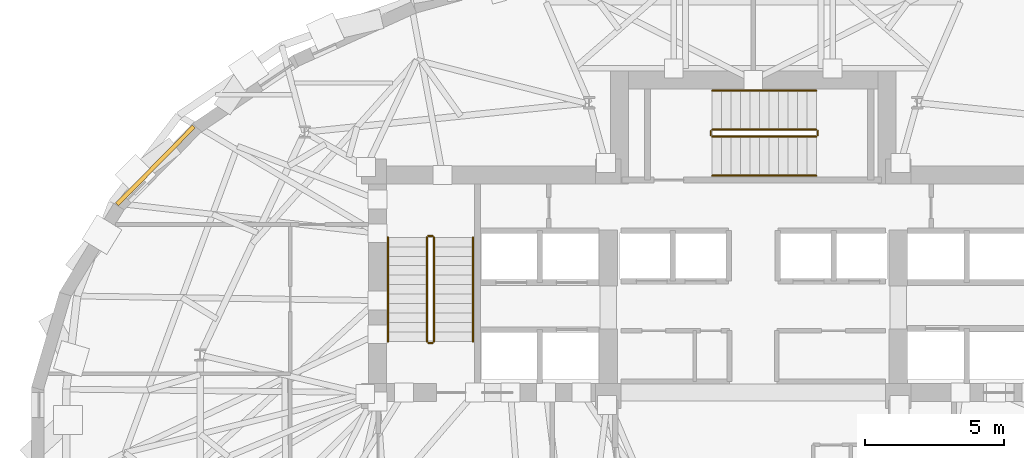
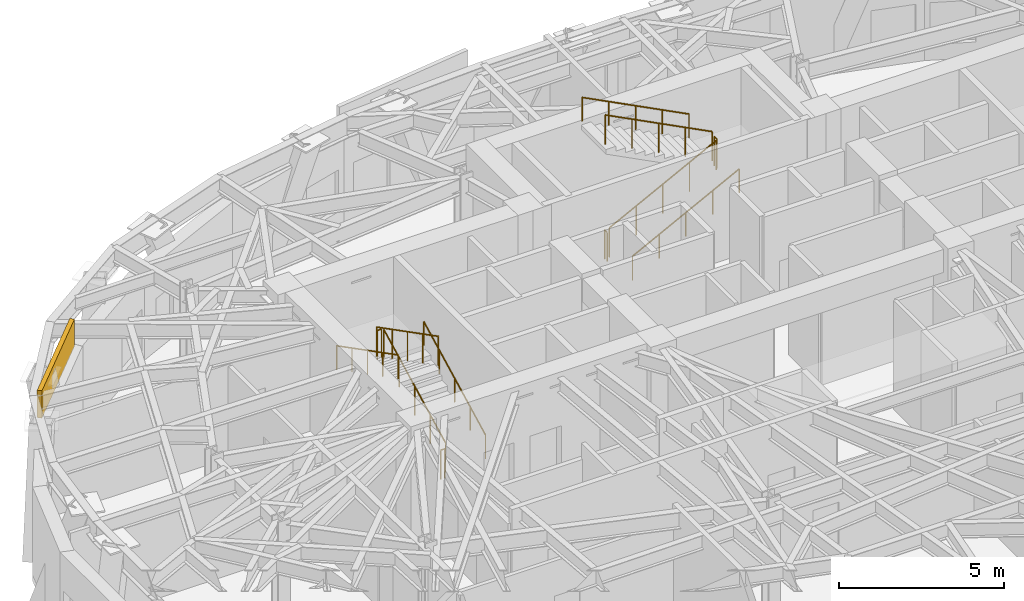
# One storey, part 14 of 16: 12 railings, 1 covering.
"""IFC4 building model written with IfcOpenShell, lengths in metres."""

import ifcopenshell
import ifcopenshell.guid

model = None  # the IFC model being written
_history = None  # IfcOwnerHistory: only IFC2X3 demands one
_inside = {}  # id of a spatial element -> (the spatial element, [elements in it])
_under = {}  # id of a project, library or spatial element -> (it, [spatial elements below it])
_declared = {}  # id of a project -> (the project, [libraries it declares])
_typed = {}  # id of a type object -> (the type object, [elements of that type])
_made_of = {}  # id of a material, layer set ... -> (it, [elements and type objects made of it])


def new_model(schema):
    """Start an empty IFC model of exactly this schema.

    Asked for "IFC4X3", IfcOpenShell would pick the latest addendum, in which some entities
    have other attributes; the version numbers below select the first issue.
    IFC2X3 requires an IfcOwnerHistory on every rooted entity: one is made here for all.
    """
    global model, _history
    if schema == "IFC4X3":
        model = ifcopenshell.file(schema_version=(4, 3, 0, 0))
    else:
        model = ifcopenshell.file(schema=schema)
    _inside.clear()
    _under.clear()
    _declared.clear()
    _typed.clear()
    _made_of.clear()
    _history = None
    if model.schema == "IFC2X3":
        org = make("IfcOrganization", Name="unknown")
        user = make(
            "IfcPersonAndOrganization",
            ThePerson=make("IfcPerson", FamilyName="unknown"),
            TheOrganization=org,
        )
        app = make(
            "IfcApplication",
            ApplicationDeveloper=org,
            Version="unknown",
            ApplicationFullName="unknown",
            ApplicationIdentifier="unknown",
        )
        _history = make(
            "IfcOwnerHistory",
            OwningUser=user,
            OwningApplication=app,
            ChangeAction="ADDED",
            CreationDate=0,
        )
    return model


def make(cls, **values):
    """One entity of the class cls with the attributes given. An attribute that is None is left unset."""
    return model.create_entity(
        cls, **{name: value for name, value in values.items() if value is not None}
    )


def rooted(cls, **values):
    """An entity with a GlobalId (a new one), such as an element, a storey or a relation."""
    return make(cls, GlobalId=ifcopenshell.guid.new(), OwnerHistory=_history, **values)


def si_unit(unit_type, name, prefix=None):
    """IfcSIUnit, for example si_unit("LENGTHUNIT", "METRE", prefix="MILLI")."""
    return make("IfcSIUnit", UnitType=unit_type, Prefix=prefix, Name=name)


def assignment(units):
    """IfcUnitAssignment: the units of a project."""
    return None if units is None else make("IfcUnitAssignment", Units=units)


def point(xyz):
    """IfcCartesianPoint."""
    return None if xyz is None else make("IfcCartesianPoint", Coordinates=xyz)


def direction(xyz):
    """IfcDirection."""
    return None if xyz is None else make("IfcDirection", DirectionRatios=xyz)


def frame(location, z_axis=None, x_axis=None):
    """IfcAxis2Placement3D, a coordinate frame: its origin and axes. An axis left out is left unset."""
    return make(
        "IfcAxis2Placement3D",
        Location=point(location),
        Axis=direction(z_axis),
        RefDirection=direction(x_axis),
    )


def frame_2d(location, x_axis=None):
    """IfcAxis2Placement2D, a coordinate frame in the plane: its origin and x axis."""
    return make(
        "IfcAxis2Placement2D", Location=point(location), RefDirection=direction(x_axis)
    )


def origin():
    """The frame at (0, 0, 0) with its axes left unset."""
    return frame((0.0, 0.0, 0.0))


def origin_2d():
    """The frame at (0, 0) in the plane with its x axis left unset."""
    return frame_2d((0.0, 0.0))


def place(relative_to, where):
    """IfcLocalPlacement: puts the frame where relative to a parent placement (None: the world)."""
    return make(
        "IfcLocalPlacement", PlacementRelTo=relative_to, RelativePlacement=where
    )


def context(
    kind, dimensions, precision=None, world=None, true_north=None, identifier=None
):
    """IfcGeometricRepresentationContext, for example the 3D "Model" context."""
    return make(
        "IfcGeometricRepresentationContext",
        ContextIdentifier=identifier,
        ContextType=kind,
        CoordinateSpaceDimension=dimensions,
        Precision=precision,
        WorldCoordinateSystem=world,
        TrueNorth=true_north,
    )


def subcontext(parent, identifier, kind, view, scale=None):
    """IfcGeometricRepresentationSubContext, for example "Body" below "Model"."""
    return make(
        "IfcGeometricRepresentationSubContext",
        ContextIdentifier=identifier,
        ContextType=kind,
        ParentContext=parent,
        TargetScale=scale,
        TargetView=view,
    )


def project(units=None, contexts=None):
    """IfcProject with its units and contexts."""
    return rooted(
        "IfcProject",
        Name="project",
        RepresentationContexts=contexts,
        UnitsInContext=assignment(units),
    )


def spatial(cls, under=None, at=None, **own):
    """A site, building, storey or space (cls), placed at a placement, below another one or the project."""
    s = rooted(cls, ObjectPlacement=at, **own)
    if under is not None:
        _under.setdefault(under.id(), (under, []))[1].append(s)
    return s


def profile(cls, at=None, kind="AREA", **sizes):
    """A parametric profile (cls). Its sizes go by their IFC names, for example OverallWidth=200.0."""
    return make(cls, ProfileType=kind, Position=at, **sizes)


def rectangle(**sizes):
    """IfcRectangleProfileDef."""
    return profile("IfcRectangleProfileDef", **sizes)


def circle(**sizes):
    """IfcCircleProfileDef."""
    return profile("IfcCircleProfileDef", **sizes)


def extrude(swept, where, along, depth):
    """IfcExtrudedAreaSolid: the profile swept, set in the frame where, extruded along a direction by depth."""
    return make(
        "IfcExtrudedAreaSolid",
        SweptArea=swept,
        Position=where,
        ExtrudedDirection=direction(along),
        Depth=depth,
    )


def shape(context_of_items, identifier, shape_type, items):
    """IfcShapeRepresentation: the items that make up one representation, for example the "Body"."""
    return make(
        "IfcShapeRepresentation",
        ContextOfItems=context_of_items,
        RepresentationIdentifier=identifier,
        RepresentationType=shape_type,
        Items=items,
    )


def material(Name=None, Category=None):
    """IfcMaterial."""
    return make("IfcMaterial", Name=Name, Category=Category)


def layer(
    of_material, thickness, ventilated=None, Name=None, Category=None, Priority=None
):
    """IfcMaterialLayer: one layer of a wall or slab, of a material (None: an air gap)."""
    return make(
        "IfcMaterialLayer",
        Material=of_material,
        LayerThickness=thickness,
        IsVentilated=ventilated,
        Name=Name,
        Category=Category,
        Priority=Priority,
    )


def layer_set(layers, Name=None):
    """IfcMaterialLayerSet."""
    return make("IfcMaterialLayerSet", MaterialLayers=layers, LayerSetName=Name)


def made_of(thing, what):
    """Note that an element or type object is made of a material, layer set ...; save() writes the relation."""
    if what is not None:
        _made_of.setdefault(what.id(), (what, []))[1].append(thing)
    return thing


def type_object(cls, material=None, **own):
    """A type object (cls), such as IfcWallType, which elements share."""
    return made_of(rooted(cls, **own), material)


def element(
    cls,
    number,
    at=None,
    inside=None,
    cuts=None,
    type_object=None,
    material=None,
    context=None,
    identifier="Body",
    shape_type=None,
    held_by="IfcProductDefinitionShape",
    body=None,
    shapes=None,
    **own,
):
    """One element of the class cls, such as IfcWall. Its Tag is "e" and its number.

    at: its placement. inside: the storey or other place that contains it. cuts: it is an
    opening in that element (IfcRelVoidsElement). A single representation is given by context,
    identifier, shape_type and body (its items); several are given by shapes. held_by: the class
    of the entity that holds the representations. save() writes the other relations.
    """
    e = rooted(cls, Tag="e%d" % number, ObjectPlacement=at, **own)
    if body is not None:
        shapes = [shape(context, identifier, shape_type, body)]
    if shapes is not None:
        e.Representation = make(held_by, Representations=shapes)
    if inside is not None:
        _inside.setdefault(inside.id(), (inside, []))[1].append(e)
    if cuts is not None:
        rooted(
            "IfcRelVoidsElement", RelatingBuildingElement=cuts, RelatedOpeningElement=e
        )
    if type_object is not None:
        _typed.setdefault(type_object.id(), (type_object, []))[1].append(e)
    return made_of(e, material)


def aggregate(whole, parts):
    """IfcRelAggregates: a whole, such as a stair, and the parts it consists of."""
    return rooted("IfcRelAggregates", RelatingObject=whole, RelatedObjects=parts)


def save(model, path):
    """Write the relations noted so far, then the file.

    IfcRelAggregates (storeys below a building ...), IfcRelContainedInSpatialStructure (elements
    in a storey), IfcRelDefinesByType, IfcRelAssociatesMaterial and IfcRelDeclares: one each for
    every whole, place, type object, material and project.
    """
    for whole, parts in _under.values():
        aggregate(whole, parts)
    for where, things in _inside.values():
        rooted(
            "IfcRelContainedInSpatialStructure",
            RelatedElements=things,
            RelatingStructure=where,
        )
    for kind, things in _typed.values():
        rooted("IfcRelDefinesByType", RelatedObjects=things, RelatingType=kind)
    for what, things in _made_of.values():
        rooted("IfcRelAssociatesMaterial", RelatedObjects=things, RelatingMaterial=what)
    for by, libraries in _declared.values():
        rooted("IfcRelDeclares", RelatingContext=by, RelatedDefinitions=libraries)
    model.write(path)


model = new_model("IFC4")

# Units and contexts
model_context = context("Model", 3, precision=1e-05, world=origin(), true_north=direction((0.0, 1.0)))
body_context = subcontext(model_context, "Body", "Model", "MODEL_VIEW")
ifc_project = project(units=[si_unit("LENGTHUNIT", "METRE"), si_unit("AREAUNIT", "SQUARE_METRE"), si_unit("VOLUMEUNIT", "CUBIC_METRE"), si_unit("PLANEANGLEUNIT", "RADIAN"), si_unit("MASSUNIT", "GRAM", prefix="KILO")], contexts=[model_context])

# Site, building, storey
site_placement = place(None, origin())
site = spatial("IfcSite", under=ifc_project, at=site_placement, CompositionType="ELEMENT")
building_placement = place(site_placement, origin())
building = spatial("IfcBuilding", under=site, at=building_placement, Name="Keldmark Tower", CompositionType="ELEMENT")
storey_placement = place(building_placement, frame((0.0, 0.0, 139.60009765625)))
storey = spatial("IfcBuildingStorey", under=building, at=storey_placement, Name="L37", CompositionType="ELEMENT", Elevation=139.60009765625)

# Covering
ifc_material_1 = material(Name="Honed Kasota Buff Dolomitic Limestone", Category="masonry")
ifc_layer = layer(ifc_material_1, 0.074951171875)
ifc_layer_set = layer_set([ifc_layer], Name="Honed Kasota Buff Dolomitic Limestone")
covering_type = type_object("IfcCoveringType", Name="Kasota Buff Limestone Spandrel Cladding Band", PredefinedType="CLADDING", material=ifc_layer_set)
covering_placement = place(storey_placement, frame((-21.435791015625, 9.664794921875, 3.161865234375), z_axis=(0.0, 0.0, 1.0), x_axis=(-0.702090914327, -0.712087317693, 0.0)))
element("IfcCovering", 1, at=covering_placement, inside=storey, type_object=covering_type, Name="L37 Kasota Limestone Spandrel Band 13", PredefinedType="CLADDING", context=body_context, shape_type="SweptSolid", body=[
    extrude(rectangle(XDim=3.9130859375, YDim=0.14990234375, at=origin_2d()), origin(), (0.0, 0.0, 1.0), 1.01806640625),
])

# Railings
ifc_material_2 = material(Name="Painted Steel ASTM A500 Grade B", Category="steel")
railing_type_1 = type_object("IfcRailingType", Name="Painted Steel Stair Well Guard 1100 mm", PredefinedType="GUARDRAIL", material=ifc_material_2)
railing_1_placement = place(storey_placement, frame((-11.449951171875, 3.35009765625, 0.1748046875)))
element("IfcRailing", 2, at=railing_1_placement, inside=storey, type_object=railing_type_1, Name="L37 ST1 stair guard 1", PredefinedType="GUARDRAIL", context=body_context, shape_type="SweptSolid", body=[
    extrude(circle(Radius=0.02392578125, at=origin_2d()), frame((0.0, 0.0, 1.076171875), z_axis=(0.0, 0.889130600629, 0.457653553493), x_axis=(-1.0, 0.0, 0.0)), (0.0, 0.0, 1.0), 4.206298828125),
    extrude(circle(Radius=0.02099609375, at=origin_2d()), origin(), (0.0, 0.0, 1.0), 1.052001953125),
    extrude(circle(Radius=0.02099609375, at=origin_2d()), frame((0.0, 0.93505859375, 0.481201171875)), (0.0, 0.0, 1.0), 1.052001953125),
    extrude(circle(Radius=0.02099609375, at=origin_2d()), frame((0.0, 1.8701171875, 0.96240234375)), (0.0, 0.0, 1.0), 1.052001953125),
    extrude(circle(Radius=0.02099609375, at=origin_2d()), frame((0.0, 2.804931640625, 1.44384765625)), (0.0, 0.0, 1.0), 1.052001953125),
    extrude(circle(Radius=0.02099609375, at=origin_2d()), frame((0.0, 3.739990234375, 1.925048828125)), (0.0, 0.0, 1.0), 1.052001953125),
])
railing_2_placement = place(storey_placement, frame((-11.5, 7.139892578125, 2.099853515625)))
element("IfcRailing", 3, at=railing_2_placement, inside=storey, type_object=railing_type_1, Name="L37 ST1 stair guard 2", PredefinedType="GUARDRAIL", context=body_context, shape_type="SweptSolid", body=[
    extrude(circle(Radius=0.02392578125, at=origin_2d()), frame((0.0, 0.0, 1.076171875), z_axis=(-1.0, 0.0, 0.0), x_axis=(0.0, -1.0, 0.0)), (0.0, 0.0, 1.0), 0.14990234375),
    extrude(circle(Radius=0.02099609375, at=origin_2d()), origin(), (0.0, 0.0, 1.0), 1.052001953125),
    extrude(circle(Radius=0.02099609375, at=origin_2d()), frame((-0.14990234375, 0.0, 0.0)), (0.0, 0.0, 1.0), 1.052001953125),
])
railing_3_placement = place(storey_placement, frame((-11.699951171875, 7.090087890625, 2.27490234375)))
element("IfcRailing", 4, at=railing_3_placement, inside=storey, type_object=railing_type_1, Name="L37 ST1 stair guard 3", PredefinedType="GUARDRAIL", context=body_context, shape_type="SweptSolid", body=[
    extrude(circle(Radius=0.02392578125, at=origin_2d()), frame((0.0, 0.0, 1.076171875), z_axis=(0.0, -0.889130600629, 0.457653553493), x_axis=(1.0, 0.0, 0.0)), (0.0, 0.0, 1.0), 4.206298828125),
    extrude(circle(Radius=0.02099609375, at=origin_2d()), origin(), (0.0, 0.0, 1.0), 1.052001953125),
    extrude(circle(Radius=0.02099609375, at=origin_2d()), frame((0.0, -0.93505859375, 0.481201171875)), (0.0, 0.0, 1.0), 1.052001953125),
    extrude(circle(Radius=0.02099609375, at=origin_2d()), frame((0.0, -1.8701171875, 0.96240234375)), (0.0, 0.0, 1.0), 1.052001953125),
    extrude(circle(Radius=0.02099609375, at=origin_2d()), frame((0.0, -2.804931640625, 1.44384765625)), (0.0, 0.0, 1.0), 1.052001953125),
    extrude(circle(Radius=0.02099609375, at=origin_2d()), frame((0.0, -3.739990234375, 1.925048828125)), (0.0, 0.0, 1.0), 1.052001953125),
])
railing_4_placement = place(storey_placement, frame((-11.5, 3.300048828125, 0.0)))
element("IfcRailing", 5, at=railing_4_placement, inside=storey, type_object=railing_type_1, Name="L37 ST1 stair guard 4", PredefinedType="GUARDRAIL", context=body_context, shape_type="SweptSolid", body=[
    extrude(circle(Radius=0.02392578125, at=origin_2d()), frame((0.0, 0.0, 1.076171875), z_axis=(-1.0, 0.0, 0.0), x_axis=(0.0, -1.0, 0.0)), (0.0, 0.0, 1.0), 0.14990234375),
    extrude(circle(Radius=0.02099609375, at=origin_2d()), origin(), (0.0, 0.0, 1.0), 1.052001953125),
    extrude(circle(Radius=0.02099609375, at=origin_2d()), frame((-0.14990234375, 0.0, 0.0)), (0.0, 0.0, 1.0), 1.052001953125),
])
railing_5_placement = place(storey_placement, frame((-1.47509765625, 10.699951171875, 0.1748046875)))
element("IfcRailing", 6, at=railing_5_placement, inside=storey, type_object=railing_type_1, Name="L37 ST3 stair guard 1", PredefinedType="GUARDRAIL", context=body_context, shape_type="SweptSolid", body=[
    extrude(circle(Radius=0.02392578125, at=origin_2d()), frame((0.0, 0.0, 1.076171875), z_axis=(0.889130600629, 0.0, 0.457653553493), x_axis=(0.0, 1.0, 0.0)), (0.0, 0.0, 1.0), 4.206298828125),
    extrude(circle(Radius=0.02099609375, at=origin_2d()), origin(), (0.0, 0.0, 1.0), 1.052001953125),
    extrude(circle(Radius=0.02099609375, at=origin_2d()), frame((0.93505859375, 0.0, 0.481201171875)), (0.0, 0.0, 1.0), 1.052001953125),
    extrude(circle(Radius=0.02099609375, at=origin_2d()), frame((1.8701171875, 0.0, 0.96240234375)), (0.0, 0.0, 1.0), 1.052001953125),
    extrude(circle(Radius=0.02099609375, at=origin_2d()), frame((2.804931640625, 0.0, 1.44384765625)), (0.0, 0.0, 1.0), 1.052001953125),
    extrude(circle(Radius=0.02099609375, at=origin_2d()), frame((3.739990234375, 0.0, 1.925048828125)), (0.0, 0.0, 1.0), 1.052001953125),
])
railing_6_placement = place(storey_placement, frame((2.31494140625, 10.75, 2.099853515625)))
element("IfcRailing", 7, at=railing_6_placement, inside=storey, type_object=railing_type_1, Name="L37 ST3 stair guard 2", PredefinedType="GUARDRAIL", context=body_context, shape_type="SweptSolid", body=[
    extrude(circle(Radius=0.02392578125, at=origin_2d()), frame((0.0, 0.0, 1.076171875), z_axis=(0.0, 1.0, 0.0), x_axis=(-1.0, 0.0, 0.0)), (0.0, 0.0, 1.0), 0.14990234375),
    extrude(circle(Radius=0.02099609375, at=origin_2d()), origin(), (0.0, 0.0, 1.0), 1.052001953125),
    extrude(circle(Radius=0.02099609375, at=origin_2d()), frame((0.0, 0.14990234375, 0.0)), (0.0, 0.0, 1.0), 1.052001953125),
])
railing_7_placement = place(storey_placement, frame((2.264892578125, 10.949951171875, 2.27490234375)))
element("IfcRailing", 8, at=railing_7_placement, inside=storey, type_object=railing_type_1, Name="L37 ST3 stair guard 3", PredefinedType="GUARDRAIL", context=body_context, shape_type="SweptSolid", body=[
    extrude(circle(Radius=0.02392578125, at=origin_2d()), frame((0.0, 0.0, 1.076171875), z_axis=(-0.889130600629, 0.0, 0.457653553493), x_axis=(0.0, -1.0, 0.0)), (0.0, 0.0, 1.0), 4.206298828125),
    extrude(circle(Radius=0.02099609375, at=origin_2d()), origin(), (0.0, 0.0, 1.0), 1.052001953125),
    extrude(circle(Radius=0.02099609375, at=origin_2d()), frame((-0.93505859375, 0.0, 0.481201171875)), (0.0, 0.0, 1.0), 1.052001953125),
    extrude(circle(Radius=0.02099609375, at=origin_2d()), frame((-1.8701171875, 0.0, 0.96240234375)), (0.0, 0.0, 1.0), 1.052001953125),
    extrude(circle(Radius=0.02099609375, at=origin_2d()), frame((-2.804931640625, 0.0, 1.44384765625)), (0.0, 0.0, 1.0), 1.052001953125),
    extrude(circle(Radius=0.02099609375, at=origin_2d()), frame((-3.739990234375, 0.0, 1.925048828125)), (0.0, 0.0, 1.0), 1.052001953125),
])
railing_8_placement = place(storey_placement, frame((-1.52490234375, 10.75, 0.0)))
element("IfcRailing", 9, at=railing_8_placement, inside=storey, type_object=railing_type_1, Name="L37 ST3 stair guard 4", PredefinedType="GUARDRAIL", context=body_context, shape_type="SweptSolid", body=[
    extrude(circle(Radius=0.02392578125, at=origin_2d()), frame((0.0, 0.0, 1.076171875), z_axis=(0.0, 1.0, 0.0), x_axis=(-1.0, 0.0, 0.0)), (0.0, 0.0, 1.0), 0.14990234375),
    extrude(circle(Radius=0.02099609375, at=origin_2d()), origin(), (0.0, 0.0, 1.0), 1.052001953125),
    extrude(circle(Radius=0.02099609375, at=origin_2d()), frame((0.0, 0.14990234375, 0.0)), (0.0, 0.0, 1.0), 1.052001953125),
])
ifc_material_3 = material(Name="Stainless Steel AISI 316L", Category="steel")
railing_type_2 = type_object("IfcRailingType", Name="Stainless Steel Stair Handrail 900 mm", PredefinedType="HANDRAIL", material=ifc_material_3)
railing_9_placement = place(storey_placement, frame((-10.050048828125, 3.35009765625, 0.1748046875)))
element("IfcRailing", 10, at=railing_9_placement, inside=storey, type_object=railing_type_2, Name="L37 ST1 stair handrail 1", PredefinedType="HANDRAIL", context=body_context, shape_type="SweptSolid", body=[
    extrude(circle(Radius=0.02392578125, at=origin_2d()), frame((0.0, 0.0, 0.8759765625), z_axis=(0.0, 0.889130600629, 0.457653553493), x_axis=(-1.0, 0.0, 0.0)), (0.0, 0.0, 1.0), 4.206298828125),
    extrude(circle(Radius=0.02099609375, at=origin_2d()), origin(), (0.0, 0.0, 1.0), 0.851806640625),
    extrude(circle(Radius=0.02099609375, at=origin_2d()), frame((0.0, 0.93505859375, 0.481201171875)), (0.0, 0.0, 1.0), 0.851806640625),
    extrude(circle(Radius=0.02099609375, at=origin_2d()), frame((0.0, 1.8701171875, 0.96240234375)), (0.0, 0.0, 1.0), 0.851806640625),
    extrude(circle(Radius=0.02099609375, at=origin_2d()), frame((0.0, 2.804931640625, 1.44384765625)), (0.0, 0.0, 1.0), 0.851806640625),
    extrude(circle(Radius=0.02099609375, at=origin_2d()), frame((0.0, 3.739990234375, 1.925048828125)), (0.0, 0.0, 1.0), 0.851806640625),
])
railing_10_placement = place(storey_placement, frame((-13.10009765625, 7.090087890625, 2.27490234375)))
element("IfcRailing", 11, at=railing_10_placement, inside=storey, type_object=railing_type_2, Name="L37 ST1 stair handrail 2", PredefinedType="HANDRAIL", context=body_context, shape_type="SweptSolid", body=[
    extrude(circle(Radius=0.02392578125, at=origin_2d()), frame((0.0, 0.0, 0.8759765625), z_axis=(0.0, -0.889130600629, 0.457653553493), x_axis=(1.0, 0.0, 0.0)), (0.0, 0.0, 1.0), 4.206298828125),
    extrude(circle(Radius=0.02099609375, at=origin_2d()), origin(), (0.0, 0.0, 1.0), 0.851806640625),
    extrude(circle(Radius=0.02099609375, at=origin_2d()), frame((0.0, -0.93505859375, 0.481201171875)), (0.0, 0.0, 1.0), 0.851806640625),
    extrude(circle(Radius=0.02099609375, at=origin_2d()), frame((0.0, -1.8701171875, 0.96240234375)), (0.0, 0.0, 1.0), 0.851806640625),
    extrude(circle(Radius=0.02099609375, at=origin_2d()), frame((0.0, -2.804931640625, 1.44384765625)), (0.0, 0.0, 1.0), 0.851806640625),
    extrude(circle(Radius=0.02099609375, at=origin_2d()), frame((0.0, -3.739990234375, 1.925048828125)), (0.0, 0.0, 1.0), 0.851806640625),
])
railing_11_placement = place(storey_placement, frame((-1.47509765625, 9.300048828125, 0.1748046875)))
element("IfcRailing", 12, at=railing_11_placement, inside=storey, type_object=railing_type_2, Name="L37 ST3 stair handrail 1", PredefinedType="HANDRAIL", context=body_context, shape_type="SweptSolid", body=[
    extrude(circle(Radius=0.02392578125, at=origin_2d()), frame((0.0, 0.0, 0.8759765625), z_axis=(0.889130600629, 0.0, 0.457653553493), x_axis=(0.0, 1.0, 0.0)), (0.0, 0.0, 1.0), 4.206298828125),
    extrude(circle(Radius=0.02099609375, at=origin_2d()), origin(), (0.0, 0.0, 1.0), 0.851806640625),
    extrude(circle(Radius=0.02099609375, at=origin_2d()), frame((0.93505859375, 0.0, 0.481201171875)), (0.0, 0.0, 1.0), 0.851806640625),
    extrude(circle(Radius=0.02099609375, at=origin_2d()), frame((1.8701171875, 0.0, 0.96240234375)), (0.0, 0.0, 1.0), 0.851806640625),
    extrude(circle(Radius=0.02099609375, at=origin_2d()), frame((2.804931640625, 0.0, 1.44384765625)), (0.0, 0.0, 1.0), 0.851806640625),
    extrude(circle(Radius=0.02099609375, at=origin_2d()), frame((3.739990234375, 0.0, 1.925048828125)), (0.0, 0.0, 1.0), 0.851806640625),
])
railing_12_placement = place(storey_placement, frame((2.264892578125, 12.35009765625, 2.27490234375)))
element("IfcRailing", 13, at=railing_12_placement, inside=storey, type_object=railing_type_2, Name="L37 ST3 stair handrail 2", PredefinedType="HANDRAIL", context=body_context, shape_type="SweptSolid", body=[
    extrude(circle(Radius=0.02392578125, at=origin_2d()), frame((0.0, 0.0, 0.8759765625), z_axis=(-0.889130600629, 0.0, 0.457653553493), x_axis=(0.0, -1.0, 0.0)), (0.0, 0.0, 1.0), 4.206298828125),
    extrude(circle(Radius=0.02099609375, at=origin_2d()), origin(), (0.0, 0.0, 1.0), 0.851806640625),
    extrude(circle(Radius=0.02099609375, at=origin_2d()), frame((-0.93505859375, 0.0, 0.481201171875)), (0.0, 0.0, 1.0), 0.851806640625),
    extrude(circle(Radius=0.02099609375, at=origin_2d()), frame((-1.8701171875, 0.0, 0.96240234375)), (0.0, 0.0, 1.0), 0.851806640625),
    extrude(circle(Radius=0.02099609375, at=origin_2d()), frame((-2.804931640625, 0.0, 1.44384765625)), (0.0, 0.0, 1.0), 0.851806640625),
    extrude(circle(Radius=0.02099609375, at=origin_2d()), frame((-3.739990234375, 0.0, 1.925048828125)), (0.0, 0.0, 1.0), 0.851806640625),
])

save(model, "model.ifc")
